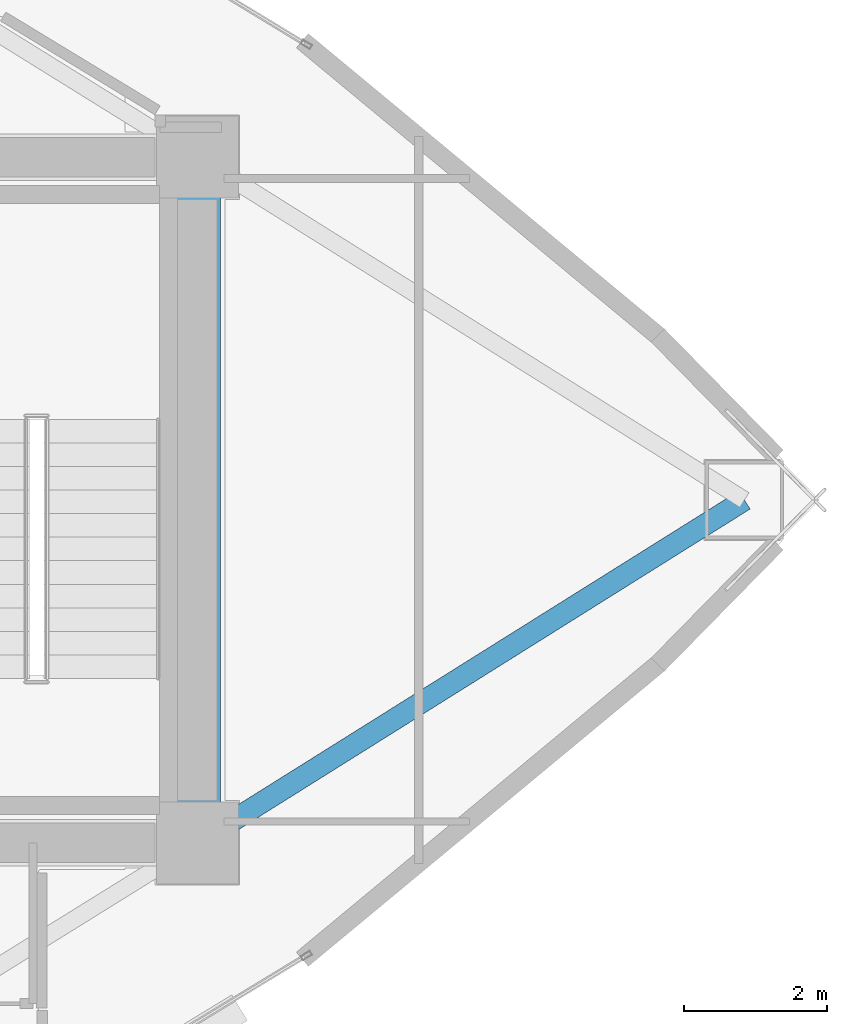
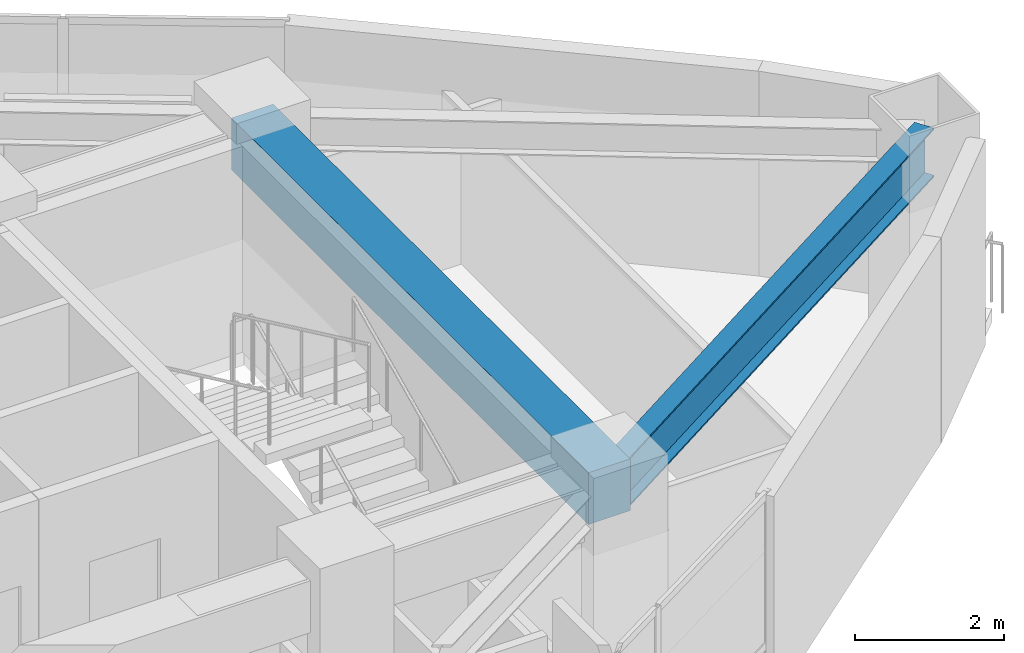
# One storey, part 6 of 15: 2 beams.
"""IFC4 building model written with IfcOpenShell, lengths in metres."""

from ifc_helpers import new_model, si_unit, direction, frame, origin, origin_2d, place, context, subcontext, project, spatial, rectangle, i_section, extrude, material, material_profile, profile_set, type_object, element, save


model = new_model("IFC4")

# Units and contexts
model_context = context("Model", 3, precision=1e-05, world=origin(), true_north=direction((0.0, 1.0)))
body_context = subcontext(model_context, "Body", "Model", "MODEL_VIEW")
ifc_project = project(units=[si_unit("LENGTHUNIT", "METRE"), si_unit("AREAUNIT", "SQUARE_METRE"), si_unit("VOLUMEUNIT", "CUBIC_METRE"), si_unit("PLANEANGLEUNIT", "RADIAN"), si_unit("MASSUNIT", "GRAM", prefix="KILO")], contexts=[model_context])

# Site, building, storey
site_placement = place(None, origin())
site = spatial("IfcSite", under=ifc_project, at=site_placement, CompositionType="ELEMENT")
building_placement = place(site_placement, origin())
building = spatial("IfcBuilding", under=site, at=building_placement, Name="Menara Vayukalpa", CompositionType="ELEMENT")
storey_placement = place(building_placement, frame((0.0, 0.0, 144.89990234375)))
storey = spatial("IfcBuildingStorey", under=building, at=storey_placement, Name="L36", CompositionType="ELEMENT", Elevation=144.89990234375)

# Beams
ifc_material_1 = material(Name="Concrete C60/75", Category="concrete")
ifc_material_profile_1 = material_profile(ifc_material_1, rectangle(XDim=0.64990234375, YDim=0.85009765625, at=origin_2d()), Name="RC 650x850")
ifc_profile_set_1 = profile_set([ifc_material_profile_1], Name="Concrete C60/75")
beam_type_1 = type_object("IfcBeamType", Name="BM-CB1", PredefinedType="BEAM", material=ifc_profile_set_1)
beam_1_placement = place(storey_placement, frame((33.39990234375, 17.199951171875, 2.955078125), z_axis=(0.0, 1.0, 0.0), x_axis=(-1.0, 0.0, 0.0)))
element("IfcBeam", 1, at=beam_1_placement, inside=storey, type_object=beam_type_1, Name="L36 Core Tie Beam CBR8", PredefinedType="BEAM", context=body_context, shape_type="SweptSolid", body=[
    extrude(rectangle(XDim=0.64990234375, YDim=0.85009765625, at=origin_2d()), origin(), (0.0, 0.0, 1.0), 9.60009765625),
])
ifc_material_2 = material(Name="Steel S355", Category="steel")
ifc_material_profile_2 = material_profile(ifc_material_2, i_section(OverallWidth=0.300048828125, OverallDepth=0.800048828125, WebThickness=0.013916015625, FlangeThickness=0.02587890625, at=origin_2d()), Name="WF 800x300x14x26")
ifc_profile_set_2 = profile_set([ifc_material_profile_2], Name="Steel S355")
beam_type_2 = type_object("IfcBeamType", Name="BM-PG3", PredefinedType="BEAM", material=ifc_profile_set_2)
beam_2_placement = place(storey_placement, frame((33.61181640625, 17.332763671875, 2.97998046875), z_axis=(0.847348467727, 0.531037262573, 0.0), x_axis=(-0.531037262573, 0.847348467727, 0.0)))
element("IfcBeam", 2, at=beam_2_placement, inside=storey, type_object=beam_type_2, Name="L36 Primary Radial Girder RG01", PredefinedType="BEAM", context=body_context, shape_type="SweptSolid", body=[
    extrude(i_section(OverallWidth=0.300048828125, OverallDepth=0.800048828125, WebThickness=0.013916015625, FlangeThickness=0.02587890625, at=origin_2d()), origin(), (0.0, 0.0, 1.0), 8.788818359375),
])

save(model, "model.ifc")
